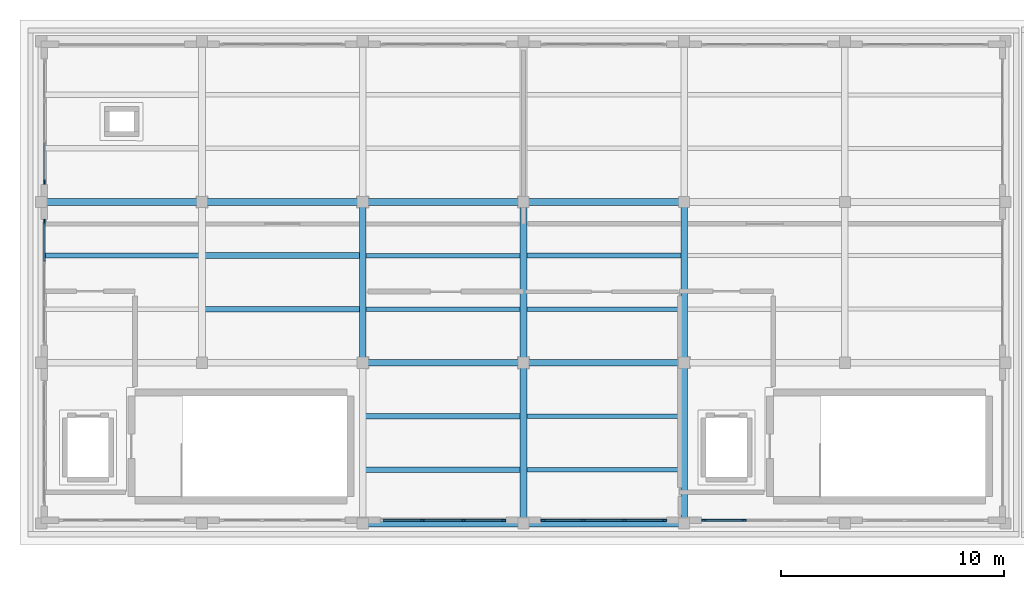
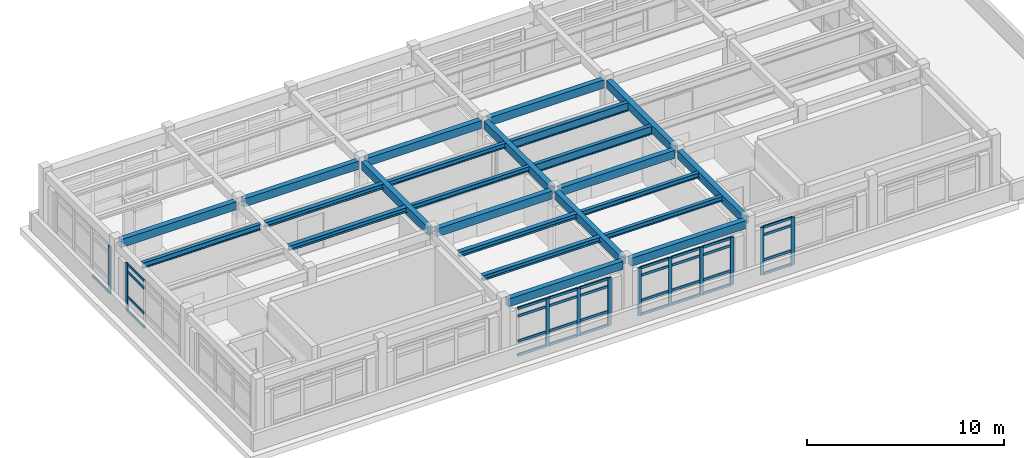
# One storey, part 3 of 12: 44 members, 24 beams, 5 elements without a shape of their own.
"""IFC4 building model written with IfcOpenShell, lengths in metres."""

from ifc_helpers import new_model, si_unit, direction, frame, origin, origin_2d, place, context, subcontext, project, spatial, rectangle, i_section, extrude, material, layer, layer_set, material_profile, profile_set, type_object, element, aggregate, save


model = new_model("IFC4")

# Units and contexts
model_context = context("Model", 3, precision=1e-05, world=origin(), true_north=direction((0.0, 1.0)))
body_context = subcontext(model_context, "Body", "Model", "MODEL_VIEW")
ifc_project = project(units=[si_unit("LENGTHUNIT", "METRE"), si_unit("AREAUNIT", "SQUARE_METRE"), si_unit("VOLUMEUNIT", "CUBIC_METRE"), si_unit("PLANEANGLEUNIT", "RADIAN"), si_unit("MASSUNIT", "GRAM", prefix="KILO")], contexts=[model_context])

# Site, building, storey
site_placement = place(None, origin())
site = spatial("IfcSite", under=ifc_project, at=site_placement, CompositionType="ELEMENT")
building_placement = place(site_placement, origin())
building = spatial("IfcBuilding", under=site, at=building_placement, Name="Solenvale Faculty of Natural Sciences", CompositionType="ELEMENT")
storey_placement = place(building_placement, frame((0.0, 0.0, 52.199951171875)))
storey = spatial("IfcBuildingStorey", under=building, at=storey_placement, Name="RF", CompositionType="ELEMENT", Elevation=52.199951171875)

# Beams
ifc_material_1 = material(Name="Concrete 40 MPa", Category="concrete")
ifc_material_profile_1 = material_profile(ifc_material_1, rectangle(XDim=0.300048828125, YDim=0.5, at=origin_2d()), Name="RC-BM-300x500")
ifc_profile_set_1 = profile_set([ifc_material_profile_1], Name="Concrete 40 MPa")
beam_type_1 = type_object("IfcBeamType", Name="BM-RC-300x500", PredefinedType="BEAM", material=ifc_profile_set_1)
beam_1_placement = place(storey_placement, frame((115.429931640625, 93.60009765625, 3.670166015625), z_axis=(1.0, 0.0, 0.0), x_axis=(0.0, 1.0, 0.0)))
element("IfcBeam", 1, at=beam_1_placement, inside=storey, type_object=beam_type_1, Name="RF X-Girder Y93.6 (115.2..122.4)", PredefinedType="BEAM", context=body_context, shape_type="SweptSolid", body=[
    extrude(rectangle(XDim=0.300048828125, YDim=0.5, at=origin_2d()), origin(), (0.0, 0.0, 1.0), 6.739990234375),
])
beam_2_placement = place(storey_placement, frame((122.6298828125, 93.60009765625, 3.670166015625), z_axis=(1.0, 0.0, 0.0), x_axis=(0.0, 1.0, 0.0)))
element("IfcBeam", 2, at=beam_2_placement, inside=storey, type_object=beam_type_1, Name="RF X-Girder Y93.6 (122.4..129.6)", PredefinedType="BEAM", context=body_context, shape_type="SweptSolid", body=[
    extrude(rectangle(XDim=0.300048828125, YDim=0.5, at=origin_2d()), origin(), (0.0, 0.0, 1.0), 6.740234375),
])
beam_3_placement = place(storey_placement, frame((115.429931640625, 100.800048828125, 3.670166015625), z_axis=(1.0, 0.0, 0.0), x_axis=(0.0, 1.0, 0.0)))
element("IfcBeam", 3, at=beam_3_placement, inside=storey, type_object=beam_type_1, Name="RF X-Girder Y100.8 (115.2..122.4)", PredefinedType="BEAM", context=body_context, shape_type="SweptSolid", body=[
    extrude(rectangle(XDim=0.300048828125, YDim=0.5, at=origin_2d()), origin(), (0.0, 0.0, 1.0), 6.739990234375),
])
beam_4_placement = place(storey_placement, frame((122.6298828125, 100.800048828125, 3.670166015625), z_axis=(1.0, 0.0, 0.0), x_axis=(0.0, 1.0, 0.0)))
element("IfcBeam", 4, at=beam_4_placement, inside=storey, type_object=beam_type_1, Name="RF X-Girder Y100.8 (122.4..129.6)", PredefinedType="BEAM", context=body_context, shape_type="SweptSolid", body=[
    extrude(rectangle(XDim=0.300048828125, YDim=0.5, at=origin_2d()), origin(), (0.0, 0.0, 1.0), 6.740234375),
])
for number, where, z_axis, x_axis, name in (
    (5, (101.030029296875, 108.0, 3.670166015625), (1.0, 0.0, 0.0), (0.0, 1.0, 0.0), "RF X-Girder Y108.0 (100.8..108.0)"),
    (6, (108.22998046875, 108.0, 3.670166015625), (1.0, 0.0, 0.0), (0.0, 1.0, 0.0), "RF X-Girder Y108.0 (108.0..115.2)"),
    (7, (115.429931640625, 108.0, 3.670166015625), (1.0, 0.0, 0.0), (0.0, 1.0, 0.0), "RF X-Girder Y108.0 (115.2..122.4)"),
):
    element("IfcBeam", number, at=place(storey_placement, frame(where, z_axis=z_axis, x_axis=x_axis)), inside=storey, type_object=beam_type_1, Name=name, PredefinedType="BEAM", context=body_context, shape_type="SweptSolid", body=[
        extrude(rectangle(XDim=0.300048828125, YDim=0.5, at=origin_2d()), origin(), (0.0, 0.0, 1.0), 6.739990234375),
    ])
beam_5_placement = place(storey_placement, frame((122.6298828125, 108.0, 3.670166015625), z_axis=(1.0, 0.0, 0.0), x_axis=(0.0, 1.0, 0.0)))
element("IfcBeam", 8, at=beam_5_placement, inside=storey, type_object=beam_type_1, Name="RF X-Girder Y108.0 (122.4..129.6)", PredefinedType="BEAM", context=body_context, shape_type="SweptSolid", body=[
    extrude(rectangle(XDim=0.300048828125, YDim=0.5, at=origin_2d()), origin(), (0.0, 0.0, 1.0), 6.740234375),
])
for number, where, z_axis, x_axis, name in (
    (9, (115.199951171875, 101.030029296875, 3.670166015625), (0.0, 1.0, 0.0), (-1.0, 0.0, 0.0), "RF Y-Girder X115.2 (100.8..108.0)"),
    (10, (122.39990234375, 93.830078125, 3.670166015625), (0.0, 1.0, 0.0), (-1.0, 0.0, 0.0), "RF Y-Girder X122.4 (93.6..100.8)"),
    (11, (122.39990234375, 101.030029296875, 3.670166015625), (0.0, 1.0, 0.0), (-1.0, 0.0, 0.0), "RF Y-Girder X122.4 (100.8..108.0)"),
    (12, (129.60009765625, 93.830078125, 3.670166015625), (0.0, 1.0, 0.0), (-1.0, 0.0, 0.0), "RF Y-Girder X129.6 (93.6..100.8)"),
    (13, (129.60009765625, 101.030029296875, 3.670166015625), (0.0, 1.0, 0.0), (-1.0, 0.0, 0.0), "RF Y-Girder X129.6 (100.8..108.0)"),
):
    element("IfcBeam", number, at=place(storey_placement, frame(where, z_axis=z_axis, x_axis=x_axis)), inside=storey, type_object=beam_type_1, Name=name, PredefinedType="BEAM", context=body_context, shape_type="SweptSolid", body=[
        extrude(rectangle(XDim=0.300048828125, YDim=0.5, at=origin_2d()), origin(), (0.0, 0.0, 1.0), 6.739990234375),
    ])
ifc_material_2 = material(Name="Steel S355", Category="steel")
ifc_material_profile_2 = material_profile(ifc_material_2, i_section(OverallWidth=0.202880859375, OverallDepth=0.302978515625, WebThickness=0.007568359375, FlangeThickness=0.01318359375, FilletRadius=0.014892578125, at=origin_2d()), Name="W310x60")
ifc_profile_set_2 = profile_set([ifc_material_profile_2], Name="Steel S355")
beam_type_2 = type_object("IfcBeamType", Name="BM-STL-W310x60", PredefinedType="JOIST", material=ifc_profile_set_2)
for number, where, z_axis, x_axis, name in (
    (14, (115.330078125, 103.199951171875, 3.7685546875), (1.0, 0.0, 0.0), (0.0, 1.0, 0.0), "RF Composite Floor Joist (17,15).1"),
    (15, (115.330078125, 105.60009765625, 3.7685546875), (1.0, 0.0, 0.0), (0.0, 1.0, 0.0), "RF Composite Floor Joist (17,15).2"),
    (16, (122.530029296875, 96.0, 3.7685546875), (1.0, 0.0, 0.0), (0.0, 1.0, 0.0), "RF Composite Floor Joist (18,14).1"),
    (17, (122.530029296875, 98.39990234375, 3.7685546875), (1.0, 0.0, 0.0), (0.0, 1.0, 0.0), "RF Composite Floor Joist (18,14).2"),
):
    element("IfcBeam", number, at=place(storey_placement, frame(where, z_axis=z_axis, x_axis=x_axis)), inside=storey, type_object=beam_type_2, Name=name, PredefinedType="JOIST", context=body_context, shape_type="SweptSolid", body=[
        extrude(i_section(OverallWidth=0.202880859375, OverallDepth=0.302978515625, WebThickness=0.007568359375, FlangeThickness=0.01318359375, FilletRadius=0.014892578125, at=origin_2d()), origin(), (0.0, 0.0, 1.0), 6.93994140625),
    ])
ifc_material_profile_3 = material_profile(ifc_material_2, i_section(OverallWidth=0.25390625, OverallDepth=0.305908203125, WebThickness=0.0087890625, FlangeThickness=0.0146484375, FilletRadius=0.014892578125, at=origin_2d()), Name="W310x79")
ifc_profile_set_3 = profile_set([ifc_material_profile_3], Name="Steel S355")
beam_type_3 = type_object("IfcBeamType", Name="BM-STL-W310x79", PredefinedType="JOIST", material=ifc_profile_set_3)
for number, where, z_axis, x_axis, name in (
    (18, (108.1298828125, 103.199951171875, 3.76708984375), (1.0, 0.0, 0.0), (0.0, 1.0, 0.0), "RF Composite Floor Joist (16,15).1"),
    (19, (108.1298828125, 105.60009765625, 3.76708984375), (1.0, 0.0, 0.0), (0.0, 1.0, 0.0), "RF Composite Floor Joist (16,15).2"),
):
    element("IfcBeam", number, at=place(storey_placement, frame(where, z_axis=z_axis, x_axis=x_axis)), inside=storey, type_object=beam_type_3, Name=name, PredefinedType="JOIST", context=body_context, shape_type="SweptSolid", body=[
        extrude(i_section(OverallWidth=0.25390625, OverallDepth=0.305908203125, WebThickness=0.0087890625, FlangeThickness=0.0146484375, FilletRadius=0.014892578125, at=origin_2d()), origin(), (0.0, 0.0, 1.0), 6.940185546875),
    ])
for number, where, z_axis, x_axis, name in (
    (20, (115.330078125, 96.0, 3.76708984375), (1.0, 0.0, 0.0), (0.0, 1.0, 0.0), "RF Composite Floor Joist (17,14).1"),
    (21, (115.330078125, 98.39990234375, 3.76708984375), (1.0, 0.0, 0.0), (0.0, 1.0, 0.0), "RF Composite Floor Joist (17,14).2"),
):
    element("IfcBeam", number, at=place(storey_placement, frame(where, z_axis=z_axis, x_axis=x_axis)), inside=storey, type_object=beam_type_3, Name=name, PredefinedType="JOIST", context=body_context, shape_type="SweptSolid", body=[
        extrude(i_section(OverallWidth=0.25390625, OverallDepth=0.305908203125, WebThickness=0.0087890625, FlangeThickness=0.0146484375, FilletRadius=0.014892578125, at=origin_2d()), origin(), (0.0, 0.0, 1.0), 6.93994140625),
    ])
ifc_material_profile_4 = material_profile(ifc_material_2, i_section(OverallWidth=0.2041015625, OverallDepth=0.35009765625, WebThickness=0.008544921875, FlangeThickness=0.01513671875, FilletRadius=0.014892578125, at=origin_2d()), Name="W360x72")
ifc_profile_set_4 = profile_set([ifc_material_profile_4], Name="Steel S355")
beam_type_4 = type_object("IfcBeamType", Name="BM-STL-W360x72", PredefinedType="JOIST", material=ifc_profile_set_4)
beam_6_placement = place(storey_placement, frame((100.929931640625, 105.60009765625, 3.7451171875), z_axis=(1.0, 0.0, 0.0), x_axis=(0.0, 1.0, 0.0)))
element("IfcBeam", 22, at=beam_6_placement, inside=storey, type_object=beam_type_4, Name="RF Composite Floor Joist (15,15).2", PredefinedType="JOIST", context=body_context, shape_type="SweptSolid", body=[
    extrude(i_section(OverallWidth=0.2041015625, OverallDepth=0.35009765625, WebThickness=0.008544921875, FlangeThickness=0.01513671875, FilletRadius=0.014892578125, at=origin_2d()), origin(), (0.0, 0.0, 1.0), 6.940185546875),
])
ifc_material_profile_5 = material_profile(ifc_material_2, i_section(OverallWidth=0.208984375, OverallDepth=0.532958984375, WebThickness=0.01025390625, FlangeThickness=0.015625, FilletRadius=0.01904296875, at=origin_2d()), Name="W530x92")
ifc_profile_set_5 = profile_set([ifc_material_profile_5], Name="Steel S355")
beam_type_5 = type_object("IfcBeamType", Name="BM-STL-W530x92", PredefinedType="JOIST", material=ifc_profile_set_5)
for number, where, z_axis, x_axis, name in (
    (23, (122.530029296875, 103.199951171875, 3.653564453125), (1.0, 0.0, 0.0), (0.0, 1.0, 0.0), "RF Composite Floor Joist (18,15).1"),
    (24, (122.530029296875, 105.60009765625, 3.653564453125), (1.0, 0.0, 0.0), (0.0, 1.0, 0.0), "RF Composite Floor Joist (18,15).2"),
):
    element("IfcBeam", number, at=place(storey_placement, frame(where, z_axis=z_axis, x_axis=x_axis)), inside=storey, type_object=beam_type_5, Name=name, PredefinedType="JOIST", context=body_context, shape_type="SweptSolid", body=[
        extrude(i_section(OverallWidth=0.208984375, OverallDepth=0.532958984375, WebThickness=0.01025390625, FlangeThickness=0.015625, FilletRadius=0.01904296875, at=origin_2d()), origin(), (0.0, 0.0, 1.0), 6.93994140625),
    ])

# Curtain wall, member
ifc_material_3 = material(Name="Anodised bronze aluminium", Category="aluminium")
ifc_layer = layer(ifc_material_3, 0.179931640625)
ifc_layer_set = layer_set([ifc_layer], Name="Anodised bronze aluminium")
curtain_wall_type = type_object("IfcCurtainWallType", Name="CW-TWR-MOD", PredefinedType="USERDEFINED", material=ifc_layer_set)
curtain_wall_1_placement = place(storey_placement, origin())
curtain_wall_1 = element("IfcCurtainWall", 25, at=curtain_wall_1_placement, inside=storey, type_object=curtain_wall_type, Name="RF Curtain Wall CW-RF-P1-E3-B1", ObjectType="UNITISED CURTAIN WALL", PredefinedType="USERDEFINED")
ifc_material_profile_6 = material_profile(ifc_material_3, rectangle(XDim=0.074951171875, YDim=0.2099609375, at=origin_2d()), Name="ALU-MUL-75x210")
ifc_profile_set_6 = profile_set([ifc_material_profile_6], Name="Anodised bronze aluminium")
member_type_1 = type_object("IfcMemberType", Name="CWM-ALU-75x210", PredefinedType="MULLION", material=ifc_profile_set_6)
member_1_placement = place(storey_placement, frame((100.9423828125, 108.887451171875, 0.0), z_axis=(0.0, 0.0, 1.0), x_axis=(1.0, 0.0, 0.0)))
member_1 = element("IfcMember", 26, at=member_1_placement, type_object=member_type_1, Name="CW-04 mullion 4", PredefinedType="MULLION", context=body_context, shape_type="SweptSolid", body=[
    extrude(rectangle(XDim=0.074951171875, YDim=0.2099609375, at=origin_2d()), origin(), (0.0, 0.0, 1.0), 2.9599609375),
])

curtain_wall_2_placement = place(storey_placement, origin())
curtain_wall_2 = element("IfcCurtainWall", 27, at=curtain_wall_2_placement, inside=storey, type_object=curtain_wall_type, Name="RF Curtain Wall CW-RF-P1-E3-B2", ObjectType="UNITISED CURTAIN WALL", PredefinedType="USERDEFINED")
member_2_placement = place(storey_placement, frame((100.9423828125, 107.112548828125, 0.0), z_axis=(0.0, 0.0, 1.0), x_axis=(1.0, 0.0, 0.0)))
member_2 = element("IfcMember", 28, at=member_2_placement, type_object=member_type_1, Name="CW-04 mullion 1", PredefinedType="MULLION", context=body_context, shape_type="SweptSolid", body=[
    extrude(rectangle(XDim=0.074951171875, YDim=0.2099609375, at=origin_2d()), origin(), (0.0, 0.0, 1.0), 2.9599609375),
])

# Curtain wall, members
curtain_wall_3_placement = place(storey_placement, origin())
curtain_wall_3 = element("IfcCurtainWall", 29, at=curtain_wall_3_placement, inside=storey, type_object=curtain_wall_type, Name="RF Curtain Wall CW-RF-P1-E4-B3", ObjectType="UNITISED CURTAIN WALL", PredefinedType="USERDEFINED")
member_3_placement = place(storey_placement, frame((117.88330078125, 93.742431640625, 0.0), z_axis=(0.0, 0.0, 1.0), x_axis=(0.0, 1.0, 0.0)))
member_3 = element("IfcMember", 30, at=member_3_placement, type_object=member_type_1, Name="CW-04 mullion 2", PredefinedType="MULLION", context=body_context, shape_type="SweptSolid", body=[
    extrude(rectangle(XDim=0.074951171875, YDim=0.2099609375, at=origin_2d()), origin(), (0.0, 0.0, 1.0), 2.9599609375),
])
member_4_placement = place(storey_placement, frame((119.716552734375, 93.742431640625, 0.0), z_axis=(0.0, 0.0, 1.0), x_axis=(0.0, 1.0, 0.0)))
member_4 = element("IfcMember", 31, at=member_4_placement, type_object=member_type_1, Name="CW-04 mullion 3", PredefinedType="MULLION", context=body_context, shape_type="SweptSolid", body=[
    extrude(rectangle(XDim=0.074951171875, YDim=0.2099609375, at=origin_2d()), origin(), (0.0, 0.0, 1.0), 2.9599609375),
])
member_5_placement = place(storey_placement, frame((121.512451171875, 93.742431640625, 0.0), z_axis=(0.0, 0.0, 1.0), x_axis=(0.0, 1.0, 0.0)))
member_5 = element("IfcMember", 32, at=member_5_placement, type_object=member_type_1, Name="CW-04 mullion 4", PredefinedType="MULLION", context=body_context, shape_type="SweptSolid", body=[
    extrude(rectangle(XDim=0.074951171875, YDim=0.2099609375, at=origin_2d()), origin(), (0.0, 0.0, 1.0), 2.9599609375),
])

curtain_wall_4_placement = place(storey_placement, origin())
curtain_wall_4 = element("IfcCurtainWall", 33, at=curtain_wall_4_placement, inside=storey, type_object=curtain_wall_type, Name="RF Curtain Wall CW-RF-P1-E4-B4", ObjectType="UNITISED CURTAIN WALL", PredefinedType="USERDEFINED")
member_6_placement = place(storey_placement, frame((123.28759765625, 93.742431640625, 0.0), z_axis=(0.0, 0.0, 1.0), x_axis=(0.0, 1.0, 0.0)))
member_6 = element("IfcMember", 34, at=member_6_placement, type_object=member_type_1, Name="CW-04 mullion 1", PredefinedType="MULLION", context=body_context, shape_type="SweptSolid", body=[
    extrude(rectangle(XDim=0.074951171875, YDim=0.2099609375, at=origin_2d()), origin(), (0.0, 0.0, 1.0), 2.9599609375),
])
member_7_placement = place(storey_placement, frame((125.083251953125, 93.742431640625, 0.0), z_axis=(0.0, 0.0, 1.0), x_axis=(0.0, 1.0, 0.0)))
member_7 = element("IfcMember", 35, at=member_7_placement, type_object=member_type_1, Name="CW-04 mullion 2", PredefinedType="MULLION", context=body_context, shape_type="SweptSolid", body=[
    extrude(rectangle(XDim=0.074951171875, YDim=0.2099609375, at=origin_2d()), origin(), (0.0, 0.0, 1.0), 2.9599609375),
])
member_8_placement = place(storey_placement, frame((126.916748046875, 93.742431640625, 0.0), z_axis=(0.0, 0.0, 1.0), x_axis=(0.0, 1.0, 0.0)))
member_8 = element("IfcMember", 36, at=member_8_placement, type_object=member_type_1, Name="CW-04 mullion 3", PredefinedType="MULLION", context=body_context, shape_type="SweptSolid", body=[
    extrude(rectangle(XDim=0.074951171875, YDim=0.2099609375, at=origin_2d()), origin(), (0.0, 0.0, 1.0), 2.9599609375),
])
member_9_placement = place(storey_placement, frame((128.71240234375, 93.742431640625, 0.0), z_axis=(0.0, 0.0, 1.0), x_axis=(0.0, 1.0, 0.0)))
member_9 = element("IfcMember", 37, at=member_9_placement, type_object=member_type_1, Name="CW-04 mullion 4", PredefinedType="MULLION", context=body_context, shape_type="SweptSolid", body=[
    extrude(rectangle(XDim=0.074951171875, YDim=0.2099609375, at=origin_2d()), origin(), (0.0, 0.0, 1.0), 2.9599609375),
])

curtain_wall_5_placement = place(storey_placement, origin())
curtain_wall_5 = element("IfcCurtainWall", 38, at=curtain_wall_5_placement, inside=storey, type_object=curtain_wall_type, Name="RF Curtain Wall CW-RF-P1-E4-B5", ObjectType="UNITISED CURTAIN WALL", PredefinedType="USERDEFINED")
member_10_placement = place(storey_placement, frame((130.487548828125, 93.742431640625, 0.0), z_axis=(0.0, 0.0, 1.0), x_axis=(0.0, 1.0, 0.0)))
member_10 = element("IfcMember", 39, at=member_10_placement, type_object=member_type_1, Name="CW-04 mullion 1", PredefinedType="MULLION", context=body_context, shape_type="SweptSolid", body=[
    extrude(rectangle(XDim=0.074951171875, YDim=0.2099609375, at=origin_2d()), origin(), (0.0, 0.0, 1.0), 2.9599609375),
])
member_11_placement = place(storey_placement, frame((132.283447265625, 93.742431640625, 0.0), z_axis=(0.0, 0.0, 1.0), x_axis=(0.0, 1.0, 0.0)))
member_11 = element("IfcMember", 40, at=member_11_placement, type_object=member_type_1, Name="CW-04 mullion 2", PredefinedType="MULLION", context=body_context, shape_type="SweptSolid", body=[
    extrude(rectangle(XDim=0.074951171875, YDim=0.2099609375, at=origin_2d()), origin(), (0.0, 0.0, 1.0), 2.9599609375),
])

# Member
ifc_material_profile_7 = material_profile(ifc_material_3, rectangle(XDim=0.074951171875, YDim=0.155029296875, at=origin_2d()), Name="ALU-TRN-75x155")
ifc_profile_set_7 = profile_set([ifc_material_profile_7], Name="Anodised bronze aluminium")
member_type_2 = type_object("IfcMemberType", Name="CWT-ALU-75x155", PredefinedType="USERDEFINED", material=ifc_profile_set_7)
member_12_placement = place(storey_placement, frame((100.9423828125, 110.645751953125, 0.03759765625), z_axis=(0.0, -1.0, 0.0), x_axis=(1.0, 0.0, 0.0)))
member_12 = element("IfcMember", 41, at=member_12_placement, type_object=member_type_2, Name="CW-04 transom 3.1", ObjectType="TRANSOM", PredefinedType="USERDEFINED", context=body_context, shape_type="SweptSolid", body=[
    extrude(rectangle(XDim=0.074951171875, YDim=0.155029296875, at=origin_2d()), origin(), (0.0, 0.0, 1.0), 1.720703125),
])

aggregate(curtain_wall_1, [member_1, member_12])

member_13_placement = place(storey_placement, frame((100.9423828125, 107.074951171875, 0.03759765625), z_axis=(0.0, -1.0, 0.0), x_axis=(1.0, 0.0, 0.0)))
member_13 = element("IfcMember", 42, at=member_13_placement, type_object=member_type_2, Name="CW-04 transom 1.1", ObjectType="TRANSOM", PredefinedType="USERDEFINED", context=body_context, shape_type="SweptSolid", body=[
    extrude(rectangle(XDim=0.074951171875, YDim=0.155029296875, at=origin_2d()), origin(), (0.0, 0.0, 1.0), 1.720703125),
])

member_14_placement = place(storey_placement, frame((100.9423828125, 107.074951171875, 0.900146484375), z_axis=(0.0, -1.0, 0.0), x_axis=(1.0, 0.0, 0.0)))
member_14 = element("IfcMember", 43, at=member_14_placement, type_object=member_type_2, Name="CW-04 transom 1.2", ObjectType="TRANSOM", PredefinedType="USERDEFINED", context=body_context, shape_type="SweptSolid", body=[
    extrude(rectangle(XDim=0.074951171875, YDim=0.155029296875, at=origin_2d()), origin(), (0.0, 0.0, 1.0), 1.720703125),
])

member_15_placement = place(storey_placement, frame((100.9423828125, 107.074951171875, 2.4599609375), z_axis=(0.0, -1.0, 0.0), x_axis=(1.0, 0.0, 0.0)))
member_15 = element("IfcMember", 44, at=member_15_placement, type_object=member_type_2, Name="CW-04 transom 1.3", ObjectType="TRANSOM", PredefinedType="USERDEFINED", context=body_context, shape_type="SweptSolid", body=[
    extrude(rectangle(XDim=0.074951171875, YDim=0.155029296875, at=origin_2d()), origin(), (0.0, 0.0, 1.0), 1.720703125),
])

member_16_placement = place(storey_placement, frame((100.9423828125, 107.074951171875, 2.922607421875), z_axis=(0.0, -1.0, 0.0), x_axis=(1.0, 0.0, 0.0)))
member_16 = element("IfcMember", 45, at=member_16_placement, type_object=member_type_2, Name="CW-04 transom 1.4", ObjectType="TRANSOM", PredefinedType="USERDEFINED", context=body_context, shape_type="SweptSolid", body=[
    extrude(rectangle(XDim=0.074951171875, YDim=0.155029296875, at=origin_2d()), origin(), (0.0, 0.0, 1.0), 1.720703125),
])

aggregate(curtain_wall_2, [member_2, member_13, member_14, member_15, member_16])

member_17_placement = place(storey_placement, frame((116.125, 93.742431640625, 0.03759765625), z_axis=(1.0, 0.0, 0.0), x_axis=(0.0, 1.0, 0.0)))
member_17 = element("IfcMember", 46, at=member_17_placement, type_object=member_type_2, Name="CW-04 transom 1.1", ObjectType="TRANSOM", PredefinedType="USERDEFINED", context=body_context, shape_type="SweptSolid", body=[
    extrude(rectangle(XDim=0.074951171875, YDim=0.155029296875, at=origin_2d()), origin(), (0.0, 0.0, 1.0), 1.720947265625),
])

member_18_placement = place(storey_placement, frame((116.125, 93.742431640625, 0.900146484375), z_axis=(1.0, 0.0, 0.0), x_axis=(0.0, 1.0, 0.0)))
member_18 = element("IfcMember", 47, at=member_18_placement, type_object=member_type_2, Name="CW-04 transom 1.2", ObjectType="TRANSOM", PredefinedType="USERDEFINED", context=body_context, shape_type="SweptSolid", body=[
    extrude(rectangle(XDim=0.074951171875, YDim=0.155029296875, at=origin_2d()), origin(), (0.0, 0.0, 1.0), 1.720947265625),
])

member_19_placement = place(storey_placement, frame((116.125, 93.742431640625, 2.4599609375), z_axis=(1.0, 0.0, 0.0), x_axis=(0.0, 1.0, 0.0)))
member_19 = element("IfcMember", 48, at=member_19_placement, type_object=member_type_2, Name="CW-04 transom 1.3", ObjectType="TRANSOM", PredefinedType="USERDEFINED", context=body_context, shape_type="SweptSolid", body=[
    extrude(rectangle(XDim=0.074951171875, YDim=0.155029296875, at=origin_2d()), origin(), (0.0, 0.0, 1.0), 1.720947265625),
])

member_20_placement = place(storey_placement, frame((116.125, 93.742431640625, 2.922607421875), z_axis=(1.0, 0.0, 0.0), x_axis=(0.0, 1.0, 0.0)))
member_20 = element("IfcMember", 49, at=member_20_placement, type_object=member_type_2, Name="CW-04 transom 1.4", ObjectType="TRANSOM", PredefinedType="USERDEFINED", context=body_context, shape_type="SweptSolid", body=[
    extrude(rectangle(XDim=0.074951171875, YDim=0.155029296875, at=origin_2d()), origin(), (0.0, 0.0, 1.0), 1.720947265625),
])

member_21_placement = place(storey_placement, frame((117.9208984375, 93.742431640625, 0.03759765625), z_axis=(1.0, 0.0, 0.0), x_axis=(0.0, 1.0, 0.0)))
member_21 = element("IfcMember", 50, at=member_21_placement, type_object=member_type_2, Name="CW-04 transom 2.1", ObjectType="TRANSOM", PredefinedType="USERDEFINED", context=body_context, shape_type="SweptSolid", body=[
    extrude(rectangle(XDim=0.074951171875, YDim=0.155029296875, at=origin_2d()), origin(), (0.0, 0.0, 1.0), 1.75830078125),
])

member_22_placement = place(storey_placement, frame((117.9208984375, 93.742431640625, 0.900146484375), z_axis=(1.0, 0.0, 0.0), x_axis=(0.0, 1.0, 0.0)))
member_22 = element("IfcMember", 51, at=member_22_placement, type_object=member_type_2, Name="CW-04 transom 2.2", ObjectType="TRANSOM", PredefinedType="USERDEFINED", context=body_context, shape_type="SweptSolid", body=[
    extrude(rectangle(XDim=0.074951171875, YDim=0.155029296875, at=origin_2d()), origin(), (0.0, 0.0, 1.0), 1.75830078125),
])

member_23_placement = place(storey_placement, frame((117.9208984375, 93.742431640625, 2.4599609375), z_axis=(1.0, 0.0, 0.0), x_axis=(0.0, 1.0, 0.0)))
member_23 = element("IfcMember", 52, at=member_23_placement, type_object=member_type_2, Name="CW-04 transom 2.3", ObjectType="TRANSOM", PredefinedType="USERDEFINED", context=body_context, shape_type="SweptSolid", body=[
    extrude(rectangle(XDim=0.074951171875, YDim=0.155029296875, at=origin_2d()), origin(), (0.0, 0.0, 1.0), 1.75830078125),
])

member_24_placement = place(storey_placement, frame((117.9208984375, 93.742431640625, 2.922607421875), z_axis=(1.0, 0.0, 0.0), x_axis=(0.0, 1.0, 0.0)))
member_24 = element("IfcMember", 53, at=member_24_placement, type_object=member_type_2, Name="CW-04 transom 2.4", ObjectType="TRANSOM", PredefinedType="USERDEFINED", context=body_context, shape_type="SweptSolid", body=[
    extrude(rectangle(XDim=0.074951171875, YDim=0.155029296875, at=origin_2d()), origin(), (0.0, 0.0, 1.0), 1.75830078125),
])

member_25_placement = place(storey_placement, frame((119.754150390625, 93.742431640625, 0.03759765625), z_axis=(1.0, 0.0, 0.0), x_axis=(0.0, 1.0, 0.0)))
member_25 = element("IfcMember", 54, at=member_25_placement, type_object=member_type_2, Name="CW-04 transom 3.1", ObjectType="TRANSOM", PredefinedType="USERDEFINED", context=body_context, shape_type="SweptSolid", body=[
    extrude(rectangle(XDim=0.074951171875, YDim=0.155029296875, at=origin_2d()), origin(), (0.0, 0.0, 1.0), 1.720947265625),
])

member_26_placement = place(storey_placement, frame((119.754150390625, 93.742431640625, 0.900146484375), z_axis=(1.0, 0.0, 0.0), x_axis=(0.0, 1.0, 0.0)))
member_26 = element("IfcMember", 55, at=member_26_placement, type_object=member_type_2, Name="CW-04 transom 3.2", ObjectType="TRANSOM", PredefinedType="USERDEFINED", context=body_context, shape_type="SweptSolid", body=[
    extrude(rectangle(XDim=0.074951171875, YDim=0.155029296875, at=origin_2d()), origin(), (0.0, 0.0, 1.0), 1.720947265625),
])

member_27_placement = place(storey_placement, frame((119.754150390625, 93.742431640625, 2.4599609375), z_axis=(1.0, 0.0, 0.0), x_axis=(0.0, 1.0, 0.0)))
member_27 = element("IfcMember", 56, at=member_27_placement, type_object=member_type_2, Name="CW-04 transom 3.3", ObjectType="TRANSOM", PredefinedType="USERDEFINED", context=body_context, shape_type="SweptSolid", body=[
    extrude(rectangle(XDim=0.074951171875, YDim=0.155029296875, at=origin_2d()), origin(), (0.0, 0.0, 1.0), 1.720947265625),
])

member_28_placement = place(storey_placement, frame((119.754150390625, 93.742431640625, 2.922607421875), z_axis=(1.0, 0.0, 0.0), x_axis=(0.0, 1.0, 0.0)))
member_28 = element("IfcMember", 57, at=member_28_placement, type_object=member_type_2, Name="CW-04 transom 3.4", ObjectType="TRANSOM", PredefinedType="USERDEFINED", context=body_context, shape_type="SweptSolid", body=[
    extrude(rectangle(XDim=0.074951171875, YDim=0.155029296875, at=origin_2d()), origin(), (0.0, 0.0, 1.0), 1.720947265625),
])

aggregate(curtain_wall_3, [member_3, member_4, member_5, member_17, member_18, member_19, member_20, member_21, member_22, member_23, member_24, member_25, member_26, member_27, member_28])

member_29_placement = place(storey_placement, frame((123.324951171875, 93.742431640625, 0.03759765625), z_axis=(1.0, 0.0, 0.0), x_axis=(0.0, 1.0, 0.0)))
member_29 = element("IfcMember", 58, at=member_29_placement, type_object=member_type_2, Name="CW-04 transom 1.1", ObjectType="TRANSOM", PredefinedType="USERDEFINED", context=body_context, shape_type="SweptSolid", body=[
    extrude(rectangle(XDim=0.074951171875, YDim=0.155029296875, at=origin_2d()), origin(), (0.0, 0.0, 1.0), 1.720947265625),
])

member_30_placement = place(storey_placement, frame((123.324951171875, 93.742431640625, 0.900146484375), z_axis=(1.0, 0.0, 0.0), x_axis=(0.0, 1.0, 0.0)))
member_30 = element("IfcMember", 59, at=member_30_placement, type_object=member_type_2, Name="CW-04 transom 1.2", ObjectType="TRANSOM", PredefinedType="USERDEFINED", context=body_context, shape_type="SweptSolid", body=[
    extrude(rectangle(XDim=0.074951171875, YDim=0.155029296875, at=origin_2d()), origin(), (0.0, 0.0, 1.0), 1.720947265625),
])

member_31_placement = place(storey_placement, frame((123.324951171875, 93.742431640625, 2.4599609375), z_axis=(1.0, 0.0, 0.0), x_axis=(0.0, 1.0, 0.0)))
member_31 = element("IfcMember", 60, at=member_31_placement, type_object=member_type_2, Name="CW-04 transom 1.3", ObjectType="TRANSOM", PredefinedType="USERDEFINED", context=body_context, shape_type="SweptSolid", body=[
    extrude(rectangle(XDim=0.074951171875, YDim=0.155029296875, at=origin_2d()), origin(), (0.0, 0.0, 1.0), 1.720947265625),
])

member_32_placement = place(storey_placement, frame((123.324951171875, 93.742431640625, 2.922607421875), z_axis=(1.0, 0.0, 0.0), x_axis=(0.0, 1.0, 0.0)))
member_32 = element("IfcMember", 61, at=member_32_placement, type_object=member_type_2, Name="CW-04 transom 1.4", ObjectType="TRANSOM", PredefinedType="USERDEFINED", context=body_context, shape_type="SweptSolid", body=[
    extrude(rectangle(XDim=0.074951171875, YDim=0.155029296875, at=origin_2d()), origin(), (0.0, 0.0, 1.0), 1.720947265625),
])

member_33_placement = place(storey_placement, frame((125.120849609375, 93.742431640625, 0.03759765625), z_axis=(1.0, 0.0, 0.0), x_axis=(0.0, 1.0, 0.0)))
member_33 = element("IfcMember", 62, at=member_33_placement, type_object=member_type_2, Name="CW-04 transom 2.1", ObjectType="TRANSOM", PredefinedType="USERDEFINED", context=body_context, shape_type="SweptSolid", body=[
    extrude(rectangle(XDim=0.074951171875, YDim=0.155029296875, at=origin_2d()), origin(), (0.0, 0.0, 1.0), 1.75830078125),
])

member_34_placement = place(storey_placement, frame((125.120849609375, 93.742431640625, 0.900146484375), z_axis=(1.0, 0.0, 0.0), x_axis=(0.0, 1.0, 0.0)))
member_34 = element("IfcMember", 63, at=member_34_placement, type_object=member_type_2, Name="CW-04 transom 2.2", ObjectType="TRANSOM", PredefinedType="USERDEFINED", context=body_context, shape_type="SweptSolid", body=[
    extrude(rectangle(XDim=0.074951171875, YDim=0.155029296875, at=origin_2d()), origin(), (0.0, 0.0, 1.0), 1.75830078125),
])

member_35_placement = place(storey_placement, frame((125.120849609375, 93.742431640625, 2.4599609375), z_axis=(1.0, 0.0, 0.0), x_axis=(0.0, 1.0, 0.0)))
member_35 = element("IfcMember", 64, at=member_35_placement, type_object=member_type_2, Name="CW-04 transom 2.3", ObjectType="TRANSOM", PredefinedType="USERDEFINED", context=body_context, shape_type="SweptSolid", body=[
    extrude(rectangle(XDim=0.074951171875, YDim=0.155029296875, at=origin_2d()), origin(), (0.0, 0.0, 1.0), 1.75830078125),
])

member_36_placement = place(storey_placement, frame((125.120849609375, 93.742431640625, 2.922607421875), z_axis=(1.0, 0.0, 0.0), x_axis=(0.0, 1.0, 0.0)))
member_36 = element("IfcMember", 65, at=member_36_placement, type_object=member_type_2, Name="CW-04 transom 2.4", ObjectType="TRANSOM", PredefinedType="USERDEFINED", context=body_context, shape_type="SweptSolid", body=[
    extrude(rectangle(XDim=0.074951171875, YDim=0.155029296875, at=origin_2d()), origin(), (0.0, 0.0, 1.0), 1.75830078125),
])

member_37_placement = place(storey_placement, frame((126.9541015625, 93.742431640625, 0.03759765625), z_axis=(1.0, 0.0, 0.0), x_axis=(0.0, 1.0, 0.0)))
member_37 = element("IfcMember", 66, at=member_37_placement, type_object=member_type_2, Name="CW-04 transom 3.1", ObjectType="TRANSOM", PredefinedType="USERDEFINED", context=body_context, shape_type="SweptSolid", body=[
    extrude(rectangle(XDim=0.074951171875, YDim=0.155029296875, at=origin_2d()), origin(), (0.0, 0.0, 1.0), 1.720947265625),
])

member_38_placement = place(storey_placement, frame((126.9541015625, 93.742431640625, 0.900146484375), z_axis=(1.0, 0.0, 0.0), x_axis=(0.0, 1.0, 0.0)))
member_38 = element("IfcMember", 67, at=member_38_placement, type_object=member_type_2, Name="CW-04 transom 3.2", ObjectType="TRANSOM", PredefinedType="USERDEFINED", context=body_context, shape_type="SweptSolid", body=[
    extrude(rectangle(XDim=0.074951171875, YDim=0.155029296875, at=origin_2d()), origin(), (0.0, 0.0, 1.0), 1.720947265625),
])

member_39_placement = place(storey_placement, frame((126.9541015625, 93.742431640625, 2.4599609375), z_axis=(1.0, 0.0, 0.0), x_axis=(0.0, 1.0, 0.0)))
member_39 = element("IfcMember", 68, at=member_39_placement, type_object=member_type_2, Name="CW-04 transom 3.3", ObjectType="TRANSOM", PredefinedType="USERDEFINED", context=body_context, shape_type="SweptSolid", body=[
    extrude(rectangle(XDim=0.074951171875, YDim=0.155029296875, at=origin_2d()), origin(), (0.0, 0.0, 1.0), 1.720947265625),
])

member_40_placement = place(storey_placement, frame((126.9541015625, 93.742431640625, 2.922607421875), z_axis=(1.0, 0.0, 0.0), x_axis=(0.0, 1.0, 0.0)))
member_40 = element("IfcMember", 69, at=member_40_placement, type_object=member_type_2, Name="CW-04 transom 3.4", ObjectType="TRANSOM", PredefinedType="USERDEFINED", context=body_context, shape_type="SweptSolid", body=[
    extrude(rectangle(XDim=0.074951171875, YDim=0.155029296875, at=origin_2d()), origin(), (0.0, 0.0, 1.0), 1.720947265625),
])

aggregate(curtain_wall_4, [member_6, member_7, member_8, member_9, member_29, member_30, member_31, member_32, member_33, member_34, member_35, member_36, member_37, member_38, member_39, member_40])

member_41_placement = place(storey_placement, frame((130.52490234375, 93.742431640625, 0.03759765625), z_axis=(1.0, 0.0, 0.0), x_axis=(0.0, 1.0, 0.0)))
member_41 = element("IfcMember", 70, at=member_41_placement, type_object=member_type_2, Name="CW-04 transom 1.1", ObjectType="TRANSOM", PredefinedType="USERDEFINED", context=body_context, shape_type="SweptSolid", body=[
    extrude(rectangle(XDim=0.074951171875, YDim=0.155029296875, at=origin_2d()), origin(), (0.0, 0.0, 1.0), 1.720947265625),
])

member_42_placement = place(storey_placement, frame((130.52490234375, 93.742431640625, 0.900146484375), z_axis=(1.0, 0.0, 0.0), x_axis=(0.0, 1.0, 0.0)))
member_42 = element("IfcMember", 71, at=member_42_placement, type_object=member_type_2, Name="CW-04 transom 1.2", ObjectType="TRANSOM", PredefinedType="USERDEFINED", context=body_context, shape_type="SweptSolid", body=[
    extrude(rectangle(XDim=0.074951171875, YDim=0.155029296875, at=origin_2d()), origin(), (0.0, 0.0, 1.0), 1.720947265625),
])

member_43_placement = place(storey_placement, frame((130.52490234375, 93.742431640625, 2.4599609375), z_axis=(1.0, 0.0, 0.0), x_axis=(0.0, 1.0, 0.0)))
member_43 = element("IfcMember", 72, at=member_43_placement, type_object=member_type_2, Name="CW-04 transom 1.3", ObjectType="TRANSOM", PredefinedType="USERDEFINED", context=body_context, shape_type="SweptSolid", body=[
    extrude(rectangle(XDim=0.074951171875, YDim=0.155029296875, at=origin_2d()), origin(), (0.0, 0.0, 1.0), 1.720947265625),
])

member_44_placement = place(storey_placement, frame((130.52490234375, 93.742431640625, 2.922607421875), z_axis=(1.0, 0.0, 0.0), x_axis=(0.0, 1.0, 0.0)))
member_44 = element("IfcMember", 73, at=member_44_placement, type_object=member_type_2, Name="CW-04 transom 1.4", ObjectType="TRANSOM", PredefinedType="USERDEFINED", context=body_context, shape_type="SweptSolid", body=[
    extrude(rectangle(XDim=0.074951171875, YDim=0.155029296875, at=origin_2d()), origin(), (0.0, 0.0, 1.0), 1.720947265625),
])

aggregate(curtain_wall_5, [member_10, member_11, member_41, member_42, member_43, member_44])

save(model, "model.ifc")
